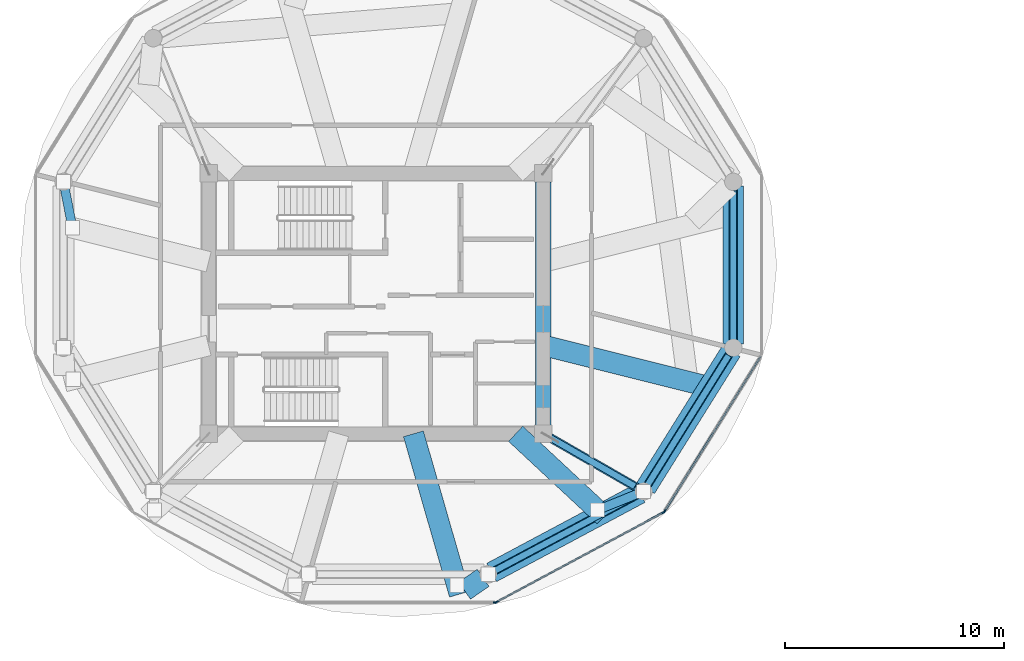
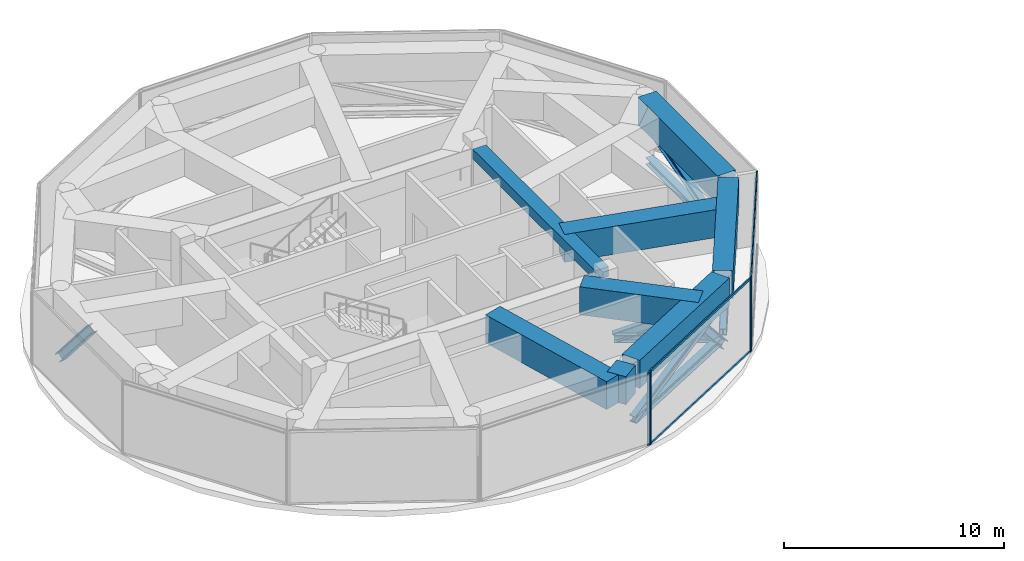
# One storey, part 3 of 20: 18 members, 8 beams, 3 elements without a shape of their own.
"""IFC4 building model written with IfcOpenShell, lengths in metres."""

from ifc_helpers import new_model, si_unit, direction, frame, origin, origin_2d, place, context, subcontext, project, spatial, rectangle, i_section, extrude, source, transform, mapped, material, layer, layer_set, material_profile, profile_set, type_object, type_shapes, element, aggregate, save


model = new_model("IFC4")

# Units and contexts
model_context = context("Model", 3, precision=1e-05, world=origin(), true_north=direction((0.0, 1.0)))
body_context = subcontext(model_context, "Body", "Model", "MODEL_VIEW")
ifc_project = project(units=[si_unit("LENGTHUNIT", "METRE"), si_unit("AREAUNIT", "SQUARE_METRE"), si_unit("VOLUMEUNIT", "CUBIC_METRE"), si_unit("PLANEANGLEUNIT", "RADIAN"), si_unit("MASSUNIT", "GRAM", prefix="KILO")], contexts=[model_context])

# Site, building, storey
site_placement = place(None, origin())
site = spatial("IfcSite", under=ifc_project, at=site_placement, CompositionType="ELEMENT")
building_placement = place(site_placement, origin())
building = spatial("IfcBuilding", under=site, at=building_placement, Name="Norrkilde Senior Care Towers", CompositionType="ELEMENT")
storey_placement = place(building_placement, frame((0.0, 0.0, 186.14990234375)))
storey = spatial("IfcBuildingStorey", under=building, at=storey_placement, Name="L58", CompositionType="ELEMENT", Elevation=186.14990234375)

# Beams
ifc_material_1 = material(Name="Concrete C60/75", Category="concrete")
ifc_material_profile_1 = material_profile(ifc_material_1, rectangle(XDim=0.699951171875, YDim=0.550048828125, at=origin_2d()), Name="RC BM 700x550")
ifc_profile_set_1 = profile_set([ifc_material_profile_1], Name="Concrete C60/75")
beam_type_1 = type_object("IfcBeamType", Name="Core Portal Coupling Beam 700x550", PredefinedType="USERDEFINED", material=ifc_profile_set_1)
shared_shape_1 = source(origin(), body_context, "Body", "SweptSolid", [
    extrude(rectangle(XDim=0.699951171875, YDim=0.550048828125, at=origin_2d()), origin(), (0.0, 0.0, 1.0), 11.14013671875),
])
type_shapes(beam_type_1, [shared_shape_1])
beam_1_placement = place(storey_placement, frame((-20.35009765625, -5.570068359375, 3.80517578125), z_axis=(0.0, 1.0, 0.0), x_axis=(-1.0, 0.0, 0.0)))
element("IfcBeam", 1, at=beam_1_placement, inside=storey, type_object=beam_type_1, Name="L58 Core W E Coupling Girder", ObjectType="GIRDER", PredefinedType="USERDEFINED", context=body_context, shape_type="MappedRepresentation", body=[
    mapped(shared_shape_1, transform((0.0, 0.0, 0.0), x_axis=(1.0, 0.0, 0.0), y_axis=(0.0, 1.0, 0.0), z_axis=(0.0, 0.0, 1.0), scale=1.0)),
])
ifc_material_profile_2 = material_profile(ifc_material_1, rectangle(XDim=0.949951171875, YDim=1.550048828125, at=origin_2d()), Name="RC TG 950x1550")
ifc_profile_set_2 = profile_set([ifc_material_profile_2], Name="Concrete C60/75")
beam_type_2 = type_object("IfcBeamType", Name="Transfer Girder Zone Shift 950x1550", PredefinedType="USERDEFINED", material=ifc_profile_set_2)
shared_shape_2 = source(origin(), body_context, "Body", "SweptSolid", [
    extrude(rectangle(XDim=0.949951171875, YDim=1.550048828125, at=origin_2d()), origin(), (0.0, 0.0, 1.0), 7.693603515625),
])
beam_2_placement = place(storey_placement, frame((-22.7138671875, -12.290771484375, 3.30517578125), z_axis=(0.88223081219, 0.470817155617, 0.0), x_axis=(-0.470817155617, 0.88223081219, 0.0)))
element("IfcBeam", 2, at=beam_2_placement, inside=storey, type_object=beam_type_2, Name="L58 Drum W Zone Ring Transfer Girder 10", ObjectType="GIRDER", PredefinedType="USERDEFINED", context=body_context, shape_type="MappedRepresentation", body=[
    mapped(shared_shape_2, transform((0.0, 0.0, 0.0), x_axis=(1.0, 0.0, 0.0), y_axis=(0.0, 1.0, 0.0), z_axis=(0.0, 0.0, 1.0), scale=1.0)),
])
shared_shape_3 = source(origin(), body_context, "Body", "SweptSolid", [
    extrude(rectangle(XDim=0.949951171875, YDim=1.550048828125, at=origin_2d()), origin(), (0.0, 0.0, 1.0), 7.223388671875),
])
beam_3_placement = place(storey_placement, frame((-11.6650390625, -1.83642578125, 3.30517578125), z_axis=(0.0, 1.0, 0.0), x_axis=(-1.0, 0.0, 0.0)))
element("IfcBeam", 3, at=beam_3_placement, inside=storey, type_object=beam_type_2, Name="L58 Drum W Zone Ring Transfer Girder 12", ObjectType="GIRDER", PredefinedType="USERDEFINED", context=body_context, shape_type="MappedRepresentation", body=[
    mapped(shared_shape_3, transform((0.0, 0.0, 0.0), x_axis=(1.0, 0.0, 0.0), y_axis=(0.0, 1.0, 0.0), z_axis=(0.0, 0.0, 1.0), scale=1.0)),
])
shared_shape_4 = source(origin(), body_context, "Body", "SweptSolid", [
    extrude(rectangle(XDim=0.949951171875, YDim=1.550048828125, at=origin_2d()), origin(), (0.0, 0.0, 1.0), 7.383544921875),
])
beam_4_placement = place(storey_placement, frame((-15.672119140625, -8.43115234375, 3.30517578125), z_axis=(0.529778979404, 0.848135739715, 0.0), x_axis=(-0.848135739715, 0.529778979404, 0.0)))
element("IfcBeam", 4, at=beam_4_placement, inside=storey, type_object=beam_type_2, Name="L58 Drum W Zone Ring Transfer Girder 11", ObjectType="GIRDER", PredefinedType="USERDEFINED", context=body_context, shape_type="MappedRepresentation", body=[
    mapped(shared_shape_4, transform((0.0, 0.0, 0.0), x_axis=(1.0, 0.0, 0.0), y_axis=(0.0, 1.0, 0.0), z_axis=(0.0, 0.0, 1.0), scale=1.0)),
])

# Member
ifc_material_2 = material(Name="Steel S355", Category="steel")
ifc_material_profile_3 = material_profile(ifc_material_2, i_section(OverallWidth=0.412109375, OverallDepth=0.449951171875, WebThickness=0.028076171875, FlangeThickness=0.044921875, FilletRadius=0.014892578125, at=origin_2d()), Name="HD 400x509")
ifc_profile_set_3 = profile_set([ifc_material_profile_3], Name="Steel S355")
member_type_1 = type_object("IfcMemberType", Name="Pratt Bridge Truss Diagonal HD400x509", PredefinedType="BRACE", material=ifc_profile_set_3)
shared_shape_5 = source(origin(), body_context, "Body", "SweptSolid", [
    extrude(i_section(OverallWidth=0.412109375, OverallDepth=0.449951171875, WebThickness=0.028076171875, FlangeThickness=0.044921875, FilletRadius=0.014892578125, at=origin_2d()), origin(), (0.0, 0.0, 1.0), 3.429443359375),
])
member_1_placement = place(storey_placement, frame((-42.284912109375, 5.567138671875, 0.150146484375), z_axis=(0.118813025192, -0.612574045404, 0.781432341244), x_axis=(0.981704938086, 0.190408546388, 0.0)))
element("IfcMember", 5, at=member_1_placement, inside=storey, type_object=member_type_1, Name="L58 Drum W Zone Transfer Raking Strut 06", PredefinedType="BRACE", context=body_context, shape_type="MappedRepresentation", body=[
    mapped(shared_shape_5, transform((0.0, 0.0, 0.0), x_axis=(1.0, 0.0, 0.0), y_axis=(0.0, 1.0, 0.0), z_axis=(0.0, 0.0, 1.0), scale=1.0)),
])

# Beams
shared_shape_6 = source(origin(), body_context, "Body", "SweptSolid", [
    extrude(rectangle(XDim=0.949951171875, YDim=1.550048828125, at=origin_2d()), origin(), (0.0, 0.0, 1.0), 5.532958984375),
])
beam_5_placement = place(storey_placement, frame((-21.6171875, -5.949951171875, 3.30517578125), z_axis=(0.731470395808, -0.681873199398, 0.0), x_axis=(0.681873199398, 0.731470395808, 0.0)))
element("IfcBeam", 6, at=beam_5_placement, inside=storey, type_object=beam_type_2, Name="L58 Drum W Zone Transfer Girder 11", ObjectType="GIRDER", PredefinedType="USERDEFINED", context=body_context, shape_type="MappedRepresentation", body=[
    mapped(shared_shape_6, transform((0.0, 0.0, 0.0), x_axis=(1.0, 0.0, 0.0), y_axis=(0.0, 1.0, 0.0), z_axis=(0.0, 0.0, 1.0), scale=1.0)),
])
shared_shape_7 = source(origin(), body_context, "Body", "SweptSolid", [
    extrude(rectangle(XDim=0.949951171875, YDim=1.550048828125, at=origin_2d()), origin(), (0.0, 0.0, 1.0), 7.62841796875),
])
beam_6_placement = place(storey_placement, frame((-26.289794921875, -5.949951171875, 3.30517578125), z_axis=(0.276259388363, -0.961083113129, 0.0), x_axis=(0.961083113129, 0.276259388363, 0.0)))
element("IfcBeam", 7, at=beam_6_placement, inside=storey, type_object=beam_type_2, Name="L58 Drum W Zone Transfer Girder 10", ObjectType="GIRDER", PredefinedType="USERDEFINED", context=body_context, shape_type="MappedRepresentation", body=[
    mapped(shared_shape_7, transform((0.0, 0.0, 0.0), x_axis=(1.0, 0.0, 0.0), y_axis=(0.0, 1.0, 0.0), z_axis=(0.0, 0.0, 1.0), scale=1.0)),
])
shared_shape_8 = source(origin(), body_context, "Body", "SweptSolid", [
    extrude(rectangle(XDim=0.949951171875, YDim=1.550048828125, at=origin_2d()), origin(), (0.0, 0.0, 1.0), 1.032470703125),
])
beam_7_placement = place(storey_placement, frame((-23.9521484375, -13.1220703125, 3.30517578125), z_axis=(0.822396437283, 0.568914844193, 0.0), x_axis=(-0.568914844193, 0.822396437283, 0.0)))
element("IfcBeam", 8, at=beam_7_placement, inside=storey, type_object=beam_type_2, Name="L58 Drum W Zone Star Transfer Tie 10", ObjectType="GIRDER", PredefinedType="USERDEFINED", context=body_context, shape_type="MappedRepresentation", body=[
    mapped(shared_shape_8, transform((0.0, 0.0, 0.0), x_axis=(1.0, 0.0, 0.0), y_axis=(0.0, 1.0, 0.0), z_axis=(0.0, 0.0, 1.0), scale=1.0)),
])

# Member
shared_shape_9 = source(origin(), body_context, "Body", "SweptSolid", [
    extrude(i_section(OverallWidth=0.412109375, OverallDepth=0.449951171875, WebThickness=0.028076171875, FlangeThickness=0.044921875, FilletRadius=0.014892578125, at=origin_2d()), origin(), (0.0, 0.0, 1.0), 3.515869140625),
])
type_shapes(member_type_1, [shared_shape_5, shared_shape_9])
member_2_placement = place(storey_placement, frame((-15.767333984375, -8.583740234375, 0.150146484375), z_axis=(-0.600164859424, -0.242482435394, 0.76223645284), x_axis=(0.374606716081, -0.927183805007, 0.0)))
element("IfcMember", 9, at=member_2_placement, inside=storey, type_object=member_type_1, Name="L58 Drum W Zone Transfer Raking Strut 11", PredefinedType="BRACE", context=body_context, shape_type="MappedRepresentation", body=[
    mapped(shared_shape_9, transform((0.0, 0.0, 0.0), x_axis=(1.0, 0.0, 0.0), y_axis=(0.0, 1.0, 0.0), z_axis=(0.0, 0.0, 1.0), scale=1.0)),
])

# Beam
shared_shape_10 = source(origin(), body_context, "Body", "SweptSolid", [
    extrude(rectangle(XDim=0.949951171875, YDim=1.550048828125, at=origin_2d()), origin(), (0.0, 0.0, 1.0), 7.802490234375),
])
type_shapes(beam_type_2, [shared_shape_2, shared_shape_3, shared_shape_4, shared_shape_6, shared_shape_7, shared_shape_8, shared_shape_10])
beam_8_placement = place(storey_placement, frame((-20.35009765625, -1.910888671875, 3.30517578125), z_axis=(0.970190337175, -0.242344196653, 0.0), x_axis=(0.242344196653, 0.970190337175, 0.0)))
element("IfcBeam", 10, at=beam_8_placement, inside=storey, type_object=beam_type_2, Name="L58 Drum W Zone Transfer Girder 12", ObjectType="GIRDER", PredefinedType="USERDEFINED", context=body_context, shape_type="MappedRepresentation", body=[
    mapped(shared_shape_10, transform((0.0, 0.0, 0.0), x_axis=(1.0, 0.0, 0.0), y_axis=(0.0, 1.0, 0.0), z_axis=(0.0, 0.0, 1.0), scale=1.0)),
])

# Members
ifc_material_profile_4 = material_profile(ifc_material_2, i_section(OverallWidth=0.300048828125, OverallDepth=0.39990234375, WebThickness=0.013427734375, FlangeThickness=0.02392578125, FilletRadius=0.027099609375, at=origin_2d()), Name="HEB 400")
ifc_profile_set_4 = profile_set([ifc_material_profile_4], Name="Steel S355")
member_type_2 = type_object("IfcMemberType", Name="Belt Truss Diagonal HEB400", PredefinedType="BRACE", material=ifc_profile_set_4)
shared_shape_11 = source(origin(), body_context, "Body", "SweptSolid", [
    extrude(i_section(OverallWidth=0.300048828125, OverallDepth=0.39990234375, WebThickness=0.013427734375, FlangeThickness=0.02392578125, FilletRadius=0.027099609375, at=origin_2d()), origin(), (0.0, 0.0, 1.0), 7.28369140625),
])
member_3_placement = place(storey_placement, frame((-15.57666015625, -8.2783203125, 0.550048828125), z_axis=(0.510868141295, 0.81780466579, 0.264970320644), x_axis=(-0.848119362441, 0.529805197269, 0.0)))
element("IfcMember", 11, at=member_3_placement, inside=storey, type_object=member_type_2, Name="L58 Drum W Belt Truss Diagonal 11", PredefinedType="BRACE", context=body_context, shape_type="MappedRepresentation", body=[
    mapped(shared_shape_11, transform((0.0, 0.0, 0.0), x_axis=(1.0, 0.0, 0.0), y_axis=(0.0, 1.0, 0.0), z_axis=(0.0, 0.0, 1.0), scale=1.0)),
])
shared_shape_12 = source(origin(), body_context, "Body", "SweptSolid", [
    extrude(i_section(OverallWidth=0.300048828125, OverallDepth=0.39990234375, WebThickness=0.013427734375, FlangeThickness=0.02392578125, FilletRadius=0.027099609375, at=origin_2d()), origin(), (0.0, 0.0, 1.0), 7.58349609375),
])
member_4_placement = place(storey_placement, frame((-22.55517578125, -12.2060546875, 0.550048828125), z_axis=(0.853187267033, 0.455310071604, 0.254488164889), x_axis=(-0.470811109101, 0.882234038987, 0.0)))
element("IfcMember", 12, at=member_4_placement, inside=storey, type_object=member_type_2, Name="L58 Drum W Belt Truss Diagonal 10", PredefinedType="BRACE", context=body_context, shape_type="MappedRepresentation", body=[
    mapped(shared_shape_12, transform((0.0, 0.0, 0.0), x_axis=(1.0, 0.0, 0.0), y_axis=(0.0, 1.0, 0.0), z_axis=(0.0, 0.0, 1.0), scale=1.0)),
])
ifc_material_profile_5 = material_profile(ifc_material_2, i_section(OverallWidth=0.3740234375, OverallDepth=0.386962890625, WebThickness=0.01611328125, FlangeThickness=0.027099609375, FilletRadius=0.014892578125, at=origin_2d()), Name="HD 360x262")
ifc_profile_set_5 = profile_set([ifc_material_profile_5], Name="Steel S355")
member_type_3 = type_object("IfcMemberType", Name="Belt Truss Ring Chord HD360x262", PredefinedType="CHORD", material=ifc_profile_set_5)
shared_shape_13 = source(origin(), body_context, "Body", "SweptSolid", [
    extrude(i_section(OverallWidth=0.3740234375, OverallDepth=0.386962890625, WebThickness=0.01611328125, FlangeThickness=0.027099609375, FilletRadius=0.014892578125, at=origin_2d()), origin(), (0.0, 0.0, 1.0), 6.86328125),
])
member_5_placement = place(storey_placement, frame((-11.6650390625, -1.65625, 0.550048828125), z_axis=(0.0, 1.0, 0.0), x_axis=(-1.0, 0.0, 0.0)))
element("IfcMember", 13, at=member_5_placement, inside=storey, type_object=member_type_3, Name="L58 Drum W Belt Truss Bottom Chord 12", PredefinedType="CHORD", context=body_context, shape_type="MappedRepresentation", body=[
    mapped(shared_shape_13, transform((0.0, 0.0, 0.0), x_axis=(1.0, 0.0, 0.0), y_axis=(0.0, 1.0, 0.0), z_axis=(0.0, 0.0, 1.0), scale=1.0)),
])
shared_shape_14 = source(origin(), body_context, "Body", "SweptSolid", [
    extrude(i_section(OverallWidth=0.300048828125, OverallDepth=0.39990234375, WebThickness=0.013427734375, FlangeThickness=0.02392578125, FilletRadius=0.027099609375, at=origin_2d()), origin(), (0.0, 0.0, 1.0), 7.12939453125),
])
type_shapes(member_type_2, [shared_shape_11, shared_shape_12, shared_shape_14])
member_6_placement = place(storey_placement, frame((-11.6650390625, -1.65625, 0.550048828125), z_axis=(0.0, 0.962664326635, 0.270697976026), x_axis=(-1.0, 0.0, 0.0)))
element("IfcMember", 14, at=member_6_placement, inside=storey, type_object=member_type_2, Name="L58 Drum W Belt Truss Diagonal 12", PredefinedType="BRACE", context=body_context, shape_type="MappedRepresentation", body=[
    mapped(shared_shape_14, transform((0.0, 0.0, 0.0), x_axis=(1.0, 0.0, 0.0), y_axis=(0.0, 1.0, 0.0), z_axis=(0.0, 0.0, 1.0), scale=1.0)),
])
shared_shape_15 = source(origin(), body_context, "Body", "SweptSolid", [
    extrude(i_section(OverallWidth=0.3740234375, OverallDepth=0.386962890625, WebThickness=0.01611328125, FlangeThickness=0.027099609375, FilletRadius=0.014892578125, at=origin_2d()), origin(), (0.0, 0.0, 1.0), 7.023193359375),
])
member_7_placement = place(storey_placement, frame((-15.57666015625, -8.2783203125, 0.550048828125), z_axis=(0.529805197269, 0.848119362441, 0.0), x_axis=(-0.848119362441, 0.529805197269, 0.0)))
element("IfcMember", 15, at=member_7_placement, inside=storey, type_object=member_type_3, Name="L58 Drum W Belt Truss Bottom Chord 11", PredefinedType="CHORD", context=body_context, shape_type="MappedRepresentation", body=[
    mapped(shared_shape_15, transform((0.0, 0.0, 0.0), x_axis=(1.0, 0.0, 0.0), y_axis=(0.0, 1.0, 0.0), z_axis=(0.0, 0.0, 1.0), scale=1.0)),
])
shared_shape_16 = source(origin(), body_context, "Body", "SweptSolid", [
    extrude(i_section(OverallWidth=0.3740234375, OverallDepth=0.386962890625, WebThickness=0.01611328125, FlangeThickness=0.027099609375, FilletRadius=0.014892578125, at=origin_2d()), origin(), (0.0, 0.0, 1.0), 7.333984375),
])
type_shapes(member_type_3, [shared_shape_13, shared_shape_15, shared_shape_16])
member_8_placement = place(storey_placement, frame((-22.55517578125, -12.2060546875, 0.550048828125), z_axis=(0.882234038987, 0.470811109101, 0.0), x_axis=(-0.470811109101, 0.882234038987, 0.0)))
element("IfcMember", 16, at=member_8_placement, inside=storey, type_object=member_type_3, Name="L58 Drum W Belt Truss Bottom Chord 10", PredefinedType="CHORD", context=body_context, shape_type="MappedRepresentation", body=[
    mapped(shared_shape_16, transform((0.0, 0.0, 0.0), x_axis=(1.0, 0.0, 0.0), y_axis=(0.0, 1.0, 0.0), z_axis=(0.0, 0.0, 1.0), scale=1.0)),
])
ifc_material_profile_6 = material_profile(ifc_material_2, i_section(OverallWidth=0.402099609375, OverallDepth=0.419921875, WebThickness=0.02001953125, FlangeThickness=0.032958984375, FilletRadius=0.014892578125, at=origin_2d()), Name="HD 400x347")
ifc_profile_set_6 = profile_set([ifc_material_profile_6], Name="Steel S355")
member_type_4 = type_object("IfcMemberType", Name="Outrigger Truss Chord HD400x347", PredefinedType="CHORD", material=ifc_profile_set_6)
shared_shape_17 = source(origin(), body_context, "Body", "SweptSolid", [
    extrude(i_section(OverallWidth=0.402099609375, OverallDepth=0.419921875, WebThickness=0.02001953125, FlangeThickness=0.032958984375, FilletRadius=0.014892578125, at=origin_2d()), origin(), (0.0, 0.0, 1.0), 4.5654296875),
])
type_shapes(member_type_4, [shared_shape_17])
member_9_placement = place(storey_placement, frame((-20.037841796875, -6.12939453125, 0.550048828125), z_axis=(0.867009695174, -0.498291268712, 0.0), x_axis=(0.498291268712, 0.867009695174, 0.0)))
element("IfcMember", 17, at=member_9_placement, inside=storey, type_object=member_type_4, Name="L58 Drum W Outrigger Chord 2", PredefinedType="CHORD", context=body_context, shape_type="MappedRepresentation", body=[
    mapped(shared_shape_17, transform((0.0, 0.0, 0.0), x_axis=(1.0, 0.0, 0.0), y_axis=(0.0, 1.0, 0.0), z_axis=(0.0, 0.0, 1.0), scale=1.0)),
])
ifc_material_profile_7 = material_profile(ifc_material_2, i_section(OverallWidth=0.300048828125, OverallDepth=0.5, WebThickness=0.014404296875, FlangeThickness=0.028076171875, FilletRadius=0.027099609375, at=origin_2d()), Name="HEB 500")
ifc_profile_set_7 = profile_set([ifc_material_profile_7], Name="Steel S355")
member_type_5 = type_object("IfcMemberType", Name="Outrigger Truss Diagonal HEB500", PredefinedType="BRACE", material=ifc_profile_set_7)
shared_shape_18 = source(origin(), body_context, "Body", "SweptSolid", [
    extrude(i_section(OverallWidth=0.300048828125, OverallDepth=0.5, WebThickness=0.014404296875, FlangeThickness=0.028076171875, FilletRadius=0.027099609375, at=origin_2d()), origin(), (0.0, 0.0, 1.0), 4.95654296875),
])
type_shapes(member_type_5, [shared_shape_18])
member_10_placement = place(storey_placement, frame((-20.037841796875, -6.12939453125, 0.550048828125), z_axis=(0.798587092591, -0.45896715776, 0.389368467707), x_axis=(0.498291268712, 0.867009695174, 0.0)))
element("IfcMember", 18, at=member_10_placement, inside=storey, type_object=member_type_5, Name="L58 Drum W Outrigger Diagonal 2", PredefinedType="BRACE", context=body_context, shape_type="MappedRepresentation", body=[
    mapped(shared_shape_18, transform((0.0, 0.0, 0.0), x_axis=(1.0, 0.0, 0.0), y_axis=(0.0, 1.0, 0.0), z_axis=(0.0, 0.0, 1.0), scale=1.0)),
])

# Curtain wall, member
ifc_material_3 = material(Name="Triple Low-E Insulated Glazing", Category="glass")
ifc_layer = layer(ifc_material_3, 0.18505859375)
ifc_layer_set = layer_set([ifc_layer], Name="Triple Low-E Insulated Glazing")
curtain_wall_type = type_object("IfcCurtainWallType", Name="CW6 Zone 4 Crown Pavilion Curtain Wall", PredefinedType="NOTDEFINED", material=ifc_layer_set)
curtain_wall_1_placement = place(storey_placement, origin())
curtain_wall_1 = element("IfcCurtainWall", 19, at=curtain_wall_1_placement, inside=storey, type_object=curtain_wall_type, Name="L58 Drum W Curtain Wall 08", PredefinedType="NOTDEFINED")
ifc_material_4 = material(Name="Anodised Aluminium", Category="aluminium")
ifc_material_profile_8 = material_profile(ifc_material_4, rectangle(XDim=0.070068359375, YDim=0.169921875, at=origin_2d()), Name="ALU MULL 70x170")
ifc_profile_set_8 = profile_set([ifc_material_profile_8], Name="Anodised Aluminium")
member_type_6 = type_object("IfcMemberType", Name="Curtain Wall Mullion Heavy 70x170", PredefinedType="MULLION", material=ifc_profile_set_8)
shared_shape_19 = source(origin(), body_context, "Body", "SweptSolid", [
    extrude(rectangle(XDim=0.070068359375, YDim=0.169921875, at=origin_2d()), origin(), (0.0, 0.0, 1.0), 4.080078125),
])
type_shapes(member_type_6, [shared_shape_19])
member_11_placement = place(storey_placement, frame((-22.5634765625, -13.66015625, 0.0), z_axis=(0.0, 0.0, 1.0), x_axis=(0.0, -1.0, 0.0)))
member_11 = element("IfcMember", 20, at=member_11_placement, type_object=member_type_6, Name="CW-6 mullion 1", PredefinedType="MULLION", context=body_context, shape_type="MappedRepresentation", body=[
    mapped(shared_shape_19, transform((0.0, 0.0, 0.0), x_axis=(1.0, 0.0, 0.0), y_axis=(0.0, 1.0, 0.0), z_axis=(0.0, 0.0, 1.0), scale=1.0)),
])
aggregate(curtain_wall_1, [member_11])

# Curtain wall, members
curtain_wall_2_placement = place(storey_placement, origin())
curtain_wall_2 = element("IfcCurtainWall", 21, at=curtain_wall_2_placement, inside=storey, type_object=curtain_wall_type, Name="L58 Drum W Curtain Wall 09", PredefinedType="NOTDEFINED")
member_12_placement = place(storey_placement, frame((-14.857666015625, -9.540771484375, 0.0), z_axis=(0.0, 0.0, 1.0), x_axis=(0.47311715104, -0.880999524059, 0.0)))
member_12 = element("IfcMember", 22, at=member_12_placement, type_object=member_type_6, Name="CW-6 mullion 1", PredefinedType="MULLION", context=body_context, shape_type="MappedRepresentation", body=[
    mapped(shared_shape_19, transform((0.0, 0.0, 0.0), x_axis=(1.0, 0.0, 0.0), y_axis=(0.0, 1.0, 0.0), z_axis=(0.0, 0.0, 1.0), scale=1.0)),
])
member_13_placement = place(storey_placement, frame((-22.49755859375, -13.6435546875, 0.0), z_axis=(0.0, 0.0, 1.0), x_axis=(0.47311715104, -0.880999524059, 0.0)))
member_13 = element("IfcMember", 23, at=member_13_placement, type_object=member_type_6, Name="CW-6 mullion 2", PredefinedType="MULLION", context=body_context, shape_type="MappedRepresentation", body=[
    mapped(shared_shape_19, transform((0.0, 0.0, 0.0), x_axis=(1.0, 0.0, 0.0), y_axis=(0.0, 1.0, 0.0), z_axis=(0.0, 0.0, 1.0), scale=1.0)),
])

curtain_wall_3_placement = place(storey_placement, origin())
curtain_wall_3 = element("IfcCurtainWall", 24, at=curtain_wall_3_placement, inside=storey, type_object=curtain_wall_type, Name="L58 Drum W Curtain Wall 10", PredefinedType="NOTDEFINED")
member_14_placement = place(storey_placement, frame((-14.808349609375, -9.494384765625, 0.0), z_axis=(0.0, 0.0, 1.0), x_axis=(0.84963405474, -0.52737270789, 0.0)))
member_14 = element("IfcMember", 25, at=member_14_placement, type_object=member_type_6, Name="CW-6 mullion 2", PredefinedType="MULLION", context=body_context, shape_type="MappedRepresentation", body=[
    mapped(shared_shape_19, transform((0.0, 0.0, 0.0), x_axis=(1.0, 0.0, 0.0), y_axis=(0.0, 1.0, 0.0), z_axis=(0.0, 0.0, 1.0), scale=1.0)),
])
ifc_material_profile_9 = material_profile(ifc_material_4, rectangle(XDim=0.06494140625, YDim=0.1298828125, at=origin_2d()), Name="ALU TRAN 65x130")
ifc_profile_set_9 = profile_set([ifc_material_profile_9], Name="Anodised Aluminium")
member_type_7 = type_object("IfcMemberType", Name="Curtain Wall Transom Heavy 65x130", PredefinedType="USERDEFINED", material=ifc_profile_set_9)
shared_shape_20 = source(origin(), body_context, "Body", "SweptSolid", [
    extrude(rectangle(XDim=0.06494140625, YDim=0.1298828125, at=origin_2d()), origin(), (0.0, 0.0, 1.0), 8.29150390625),
])
member_15_placement = place(storey_placement, frame((-10.417236328125, -2.420166015625, 0.03271484375), z_axis=(-0.527384117405, -0.849626972682, 0.0), x_axis=(0.849626972682, -0.527384117405, 0.0)))
member_15 = element("IfcMember", 26, at=member_15_placement, type_object=member_type_7, Name="CW-6 transom 1.1", ObjectType="TRANSOM", PredefinedType="USERDEFINED", context=body_context, shape_type="MappedRepresentation", body=[
    mapped(shared_shape_20, transform((0.0, 0.0, 0.0), x_axis=(1.0, 0.0, 0.0), y_axis=(0.0, 1.0, 0.0), z_axis=(0.0, 0.0, 1.0), scale=1.0)),
])
member_16_placement = place(storey_placement, frame((-10.417236328125, -2.420166015625, 4.047607421875), z_axis=(-0.527384117405, -0.849626972682, 0.0), x_axis=(0.849626972682, -0.527384117405, 0.0)))
member_16 = element("IfcMember", 27, at=member_16_placement, type_object=member_type_7, Name="CW-6 transom 1.2", ObjectType="TRANSOM", PredefinedType="USERDEFINED", context=body_context, shape_type="MappedRepresentation", body=[
    mapped(shared_shape_20, transform((0.0, 0.0, 0.0), x_axis=(1.0, 0.0, 0.0), y_axis=(0.0, 1.0, 0.0), z_axis=(0.0, 0.0, 1.0), scale=1.0)),
])
aggregate(curtain_wall_3, [member_14, member_15, member_16])

# Member
shared_shape_21 = source(origin(), body_context, "Body", "SweptSolid", [
    extrude(rectangle(XDim=0.06494140625, YDim=0.1298828125, at=origin_2d()), origin(), (0.0, 0.0, 1.0), 8.601806640625),
])
type_shapes(member_type_7, [shared_shape_20, shared_shape_21])
member_17_placement = place(storey_placement, frame((-14.888671875, -9.557373046875, 0.03271484375), z_axis=(-0.881001878067, -0.473112767574, 0.0), x_axis=(0.473112767574, -0.881001878067, 0.0)))
member_17 = element("IfcMember", 28, at=member_17_placement, type_object=member_type_7, Name="CW-6 transom 1.1", ObjectType="TRANSOM", PredefinedType="USERDEFINED", context=body_context, shape_type="MappedRepresentation", body=[
    mapped(shared_shape_21, transform((0.0, 0.0, 0.0), x_axis=(1.0, 0.0, 0.0), y_axis=(0.0, 1.0, 0.0), z_axis=(0.0, 0.0, 1.0), scale=1.0)),
])

member_18_placement = place(storey_placement, frame((-14.888671875, -9.557373046875, 4.047607421875), z_axis=(-0.881001878067, -0.473112767574, 0.0), x_axis=(0.473112767574, -0.881001878067, 0.0)))
member_18 = element("IfcMember", 29, at=member_18_placement, type_object=member_type_7, Name="CW-6 transom 1.2", ObjectType="TRANSOM", PredefinedType="USERDEFINED", context=body_context, shape_type="MappedRepresentation", body=[
    mapped(shared_shape_21, transform((0.0, 0.0, 0.0), x_axis=(1.0, 0.0, 0.0), y_axis=(0.0, 1.0, 0.0), z_axis=(0.0, 0.0, 1.0), scale=1.0)),
])

aggregate(curtain_wall_2, [member_12, member_13, member_17, member_18])

save(model, "model.ifc")
